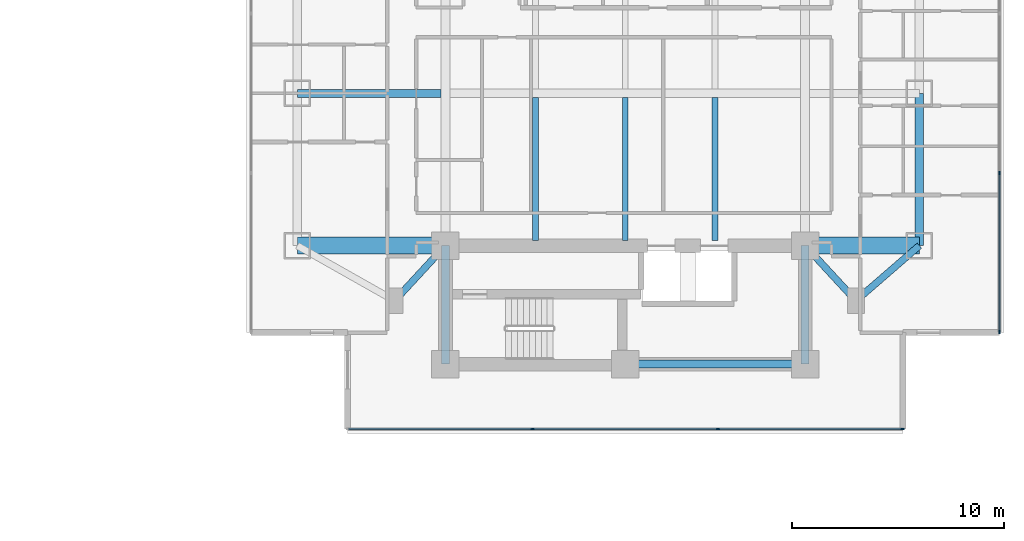
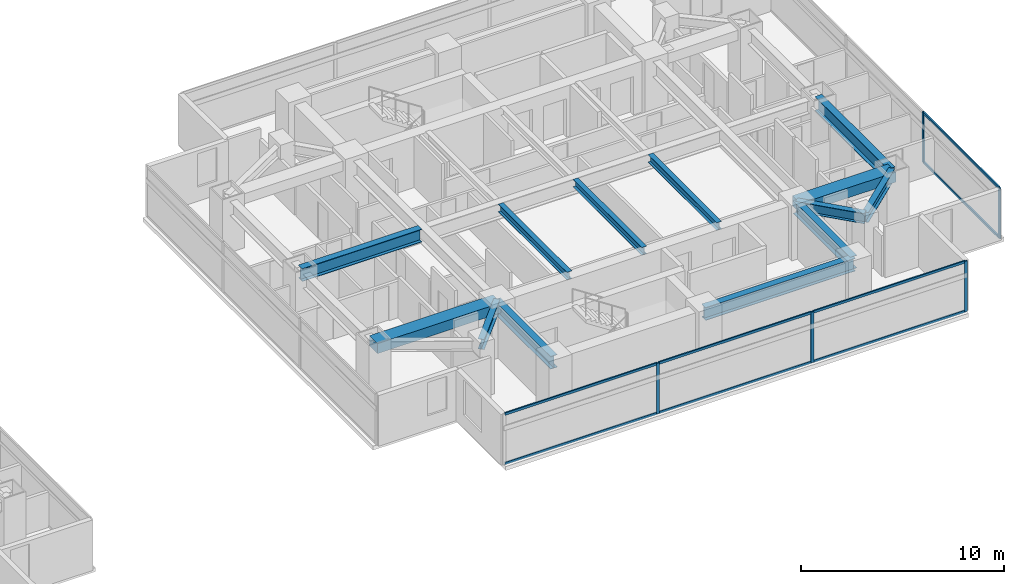
# One storey, part 9 of 27: 13 beams, 13 members, 2 elements without a shape of their own.
"""IFC4 building model written with IfcOpenShell, lengths in metres."""

import ifcopenshell
import ifcopenshell.guid

model = None  # the IFC model being written
_history = None  # IfcOwnerHistory: only IFC2X3 demands one
_inside = {}  # id of a spatial element -> (the spatial element, [elements in it])
_under = {}  # id of a project, library or spatial element -> (it, [spatial elements below it])
_declared = {}  # id of a project -> (the project, [libraries it declares])
_typed = {}  # id of a type object -> (the type object, [elements of that type])
_made_of = {}  # id of a material, layer set ... -> (it, [elements and type objects made of it])


def new_model(schema):
    """Start an empty IFC model of exactly this schema.

    Asked for "IFC4X3", IfcOpenShell would pick the latest addendum, in which some entities
    have other attributes; the version numbers below select the first issue.
    IFC2X3 requires an IfcOwnerHistory on every rooted entity: one is made here for all.
    """
    global model, _history
    if schema == "IFC4X3":
        model = ifcopenshell.file(schema_version=(4, 3, 0, 0))
    else:
        model = ifcopenshell.file(schema=schema)
    _inside.clear()
    _under.clear()
    _declared.clear()
    _typed.clear()
    _made_of.clear()
    _history = None
    if model.schema == "IFC2X3":
        org = make("IfcOrganization", Name="unknown")
        user = make(
            "IfcPersonAndOrganization",
            ThePerson=make("IfcPerson", FamilyName="unknown"),
            TheOrganization=org,
        )
        app = make(
            "IfcApplication",
            ApplicationDeveloper=org,
            Version="unknown",
            ApplicationFullName="unknown",
            ApplicationIdentifier="unknown",
        )
        _history = make(
            "IfcOwnerHistory",
            OwningUser=user,
            OwningApplication=app,
            ChangeAction="ADDED",
            CreationDate=0,
        )
    return model


def make(cls, **values):
    """One entity of the class cls with the attributes given. An attribute that is None is left unset."""
    return model.create_entity(
        cls, **{name: value for name, value in values.items() if value is not None}
    )


def rooted(cls, **values):
    """An entity with a GlobalId (a new one), such as an element, a storey or a relation."""
    return make(cls, GlobalId=ifcopenshell.guid.new(), OwnerHistory=_history, **values)


def si_unit(unit_type, name, prefix=None):
    """IfcSIUnit, for example si_unit("LENGTHUNIT", "METRE", prefix="MILLI")."""
    return make("IfcSIUnit", UnitType=unit_type, Prefix=prefix, Name=name)


def assignment(units):
    """IfcUnitAssignment: the units of a project."""
    return None if units is None else make("IfcUnitAssignment", Units=units)


def point(xyz):
    """IfcCartesianPoint."""
    return None if xyz is None else make("IfcCartesianPoint", Coordinates=xyz)


def direction(xyz):
    """IfcDirection."""
    return None if xyz is None else make("IfcDirection", DirectionRatios=xyz)


def frame(location, z_axis=None, x_axis=None):
    """IfcAxis2Placement3D, a coordinate frame: its origin and axes. An axis left out is left unset."""
    return make(
        "IfcAxis2Placement3D",
        Location=point(location),
        Axis=direction(z_axis),
        RefDirection=direction(x_axis),
    )


def frame_2d(location, x_axis=None):
    """IfcAxis2Placement2D, a coordinate frame in the plane: its origin and x axis."""
    return make(
        "IfcAxis2Placement2D", Location=point(location), RefDirection=direction(x_axis)
    )


def origin():
    """The frame at (0, 0, 0) with its axes left unset."""
    return frame((0.0, 0.0, 0.0))


def origin_2d():
    """The frame at (0, 0) in the plane with its x axis left unset."""
    return frame_2d((0.0, 0.0))


def place(relative_to, where):
    """IfcLocalPlacement: puts the frame where relative to a parent placement (None: the world)."""
    return make(
        "IfcLocalPlacement", PlacementRelTo=relative_to, RelativePlacement=where
    )


def context(
    kind, dimensions, precision=None, world=None, true_north=None, identifier=None
):
    """IfcGeometricRepresentationContext, for example the 3D "Model" context."""
    return make(
        "IfcGeometricRepresentationContext",
        ContextIdentifier=identifier,
        ContextType=kind,
        CoordinateSpaceDimension=dimensions,
        Precision=precision,
        WorldCoordinateSystem=world,
        TrueNorth=true_north,
    )


def subcontext(parent, identifier, kind, view, scale=None):
    """IfcGeometricRepresentationSubContext, for example "Body" below "Model"."""
    return make(
        "IfcGeometricRepresentationSubContext",
        ContextIdentifier=identifier,
        ContextType=kind,
        ParentContext=parent,
        TargetScale=scale,
        TargetView=view,
    )


def project(units=None, contexts=None):
    """IfcProject with its units and contexts."""
    return rooted(
        "IfcProject",
        Name="project",
        RepresentationContexts=contexts,
        UnitsInContext=assignment(units),
    )


def spatial(cls, under=None, at=None, **own):
    """A site, building, storey or space (cls), placed at a placement, below another one or the project."""
    s = rooted(cls, ObjectPlacement=at, **own)
    if under is not None:
        _under.setdefault(under.id(), (under, []))[1].append(s)
    return s


def profile(cls, at=None, kind="AREA", **sizes):
    """A parametric profile (cls). Its sizes go by their IFC names, for example OverallWidth=200.0."""
    return make(cls, ProfileType=kind, Position=at, **sizes)


def rectangle(**sizes):
    """IfcRectangleProfileDef."""
    return profile("IfcRectangleProfileDef", **sizes)


def i_section(**sizes):
    """IfcIShapeProfileDef."""
    return profile("IfcIShapeProfileDef", **sizes)


def extrude(swept, where, along, depth):
    """IfcExtrudedAreaSolid: the profile swept, set in the frame where, extruded along a direction by depth."""
    return make(
        "IfcExtrudedAreaSolid",
        SweptArea=swept,
        Position=where,
        ExtrudedDirection=direction(along),
        Depth=depth,
    )


def shape(context_of_items, identifier, shape_type, items):
    """IfcShapeRepresentation: the items that make up one representation, for example the "Body"."""
    return make(
        "IfcShapeRepresentation",
        ContextOfItems=context_of_items,
        RepresentationIdentifier=identifier,
        RepresentationType=shape_type,
        Items=items,
    )


def material(Name=None, Category=None):
    """IfcMaterial."""
    return make("IfcMaterial", Name=Name, Category=Category)


def material_profile(
    of_material, cross_section, Name=None, Category=None, Priority=None
):
    """IfcMaterialProfile: a cross section and its material."""
    return make(
        "IfcMaterialProfile",
        Name=Name,
        Material=of_material,
        Profile=cross_section,
        Priority=Priority,
        Category=Category,
    )


def profile_set(profiles, Name=None, composite=None):
    """IfcMaterialProfileSet."""
    return make(
        "IfcMaterialProfileSet",
        Name=Name,
        MaterialProfiles=profiles,
        CompositeProfile=composite,
    )


def made_of(thing, what):
    """Note that an element or type object is made of a material, layer set ...; save() writes the relation."""
    if what is not None:
        _made_of.setdefault(what.id(), (what, []))[1].append(thing)
    return thing


def type_object(cls, material=None, **own):
    """A type object (cls), such as IfcWallType, which elements share."""
    return made_of(rooted(cls, **own), material)


def element(
    cls,
    number,
    at=None,
    inside=None,
    cuts=None,
    type_object=None,
    material=None,
    context=None,
    identifier="Body",
    shape_type=None,
    held_by="IfcProductDefinitionShape",
    body=None,
    shapes=None,
    **own,
):
    """One element of the class cls, such as IfcWall. Its Tag is "e" and its number.

    at: its placement. inside: the storey or other place that contains it. cuts: it is an
    opening in that element (IfcRelVoidsElement). A single representation is given by context,
    identifier, shape_type and body (its items); several are given by shapes. held_by: the class
    of the entity that holds the representations. save() writes the other relations.
    """
    e = rooted(cls, Tag="e%d" % number, ObjectPlacement=at, **own)
    if body is not None:
        shapes = [shape(context, identifier, shape_type, body)]
    if shapes is not None:
        e.Representation = make(held_by, Representations=shapes)
    if inside is not None:
        _inside.setdefault(inside.id(), (inside, []))[1].append(e)
    if cuts is not None:
        rooted(
            "IfcRelVoidsElement", RelatingBuildingElement=cuts, RelatedOpeningElement=e
        )
    if type_object is not None:
        _typed.setdefault(type_object.id(), (type_object, []))[1].append(e)
    return made_of(e, material)


def aggregate(whole, parts):
    """IfcRelAggregates: a whole, such as a stair, and the parts it consists of."""
    return rooted("IfcRelAggregates", RelatingObject=whole, RelatedObjects=parts)


def save(model, path):
    """Write the relations noted so far, then the file.

    IfcRelAggregates (storeys below a building ...), IfcRelContainedInSpatialStructure (elements
    in a storey), IfcRelDefinesByType, IfcRelAssociatesMaterial and IfcRelDeclares: one each for
    every whole, place, type object, material and project.
    """
    for whole, parts in _under.values():
        aggregate(whole, parts)
    for where, things in _inside.values():
        rooted(
            "IfcRelContainedInSpatialStructure",
            RelatedElements=things,
            RelatingStructure=where,
        )
    for kind, things in _typed.values():
        rooted("IfcRelDefinesByType", RelatedObjects=things, RelatingType=kind)
    for what, things in _made_of.values():
        rooted("IfcRelAssociatesMaterial", RelatedObjects=things, RelatingMaterial=what)
    for by, libraries in _declared.values():
        rooted("IfcRelDeclares", RelatingContext=by, RelatedDefinitions=libraries)
    model.write(path)


model = new_model("IFC4")

# Units and contexts
model_context = context("Model", 3, precision=1e-05, world=origin(), true_north=direction((0.0, 1.0)))
body_context = subcontext(model_context, "Body", "Model", "MODEL_VIEW")
ifc_project = project(units=[si_unit("LENGTHUNIT", "METRE"), si_unit("AREAUNIT", "SQUARE_METRE"), si_unit("VOLUMEUNIT", "CUBIC_METRE"), si_unit("PLANEANGLEUNIT", "RADIAN"), si_unit("MASSUNIT", "GRAM", prefix="KILO")], contexts=[model_context])

# Site, building, storey
site_placement = place(None, origin())
site = spatial("IfcSite", under=ifc_project, at=site_placement, CompositionType="ELEMENT")
building_placement = place(site_placement, origin())
building = spatial("IfcBuilding", under=site, at=building_placement, Name="Mirazonda Arch Towers", CompositionType="ELEMENT")
storey_placement = place(building_placement, frame((0.0, 0.0, 55.39990234375)))
storey = spatial("IfcBuildingStorey", under=building, at=storey_placement, Name="L15", CompositionType="ELEMENT", Elevation=55.39990234375)

# Beams
ifc_material_1 = material(Name="Steel ASTM A992 Grade 50", Category="steel")
ifc_material_profile_1 = material_profile(ifc_material_1, i_section(OverallWidth=0.39990234375, OverallDepth=0.85595703125, WebThickness=0.018310546875, FlangeThickness=0.029296875, at=origin_2d()), Name="W33X201")
ifc_profile_set_1 = profile_set([ifc_material_profile_1], Name="Steel ASTM A992 Grade 50")
beam_type_1 = type_object("IfcBeamType", Name="BM-EXT-W33X201", PredefinedType="USERDEFINED", material=ifc_profile_set_1)
beam_1_placement = place(storey_placement, frame((90.39990234375, 20.800048828125, 2.632080078125), z_axis=(0.0, 1.0, 0.0), x_axis=(-1.0, 0.0, 0.0)))
element("IfcBeam", 1, at=beam_1_placement, inside=storey, type_object=beam_type_1, Name="L15 Floor Beam BM-T2-L15-NS-E-20", ObjectType="GIRDER", PredefinedType="USERDEFINED", context=body_context, shape_type="SweptSolid", body=[
    extrude(i_section(OverallWidth=0.39990234375, OverallDepth=0.85595703125, WebThickness=0.018310546875, FlangeThickness=0.029296875, at=origin_2d()), origin(), (0.0, 0.0, 1.0), 7.199951171875),
])
ifc_material_profile_2 = material_profile(ifc_material_1, i_section(OverallWidth=0.280029296875, OverallDepth=0.462890625, WebThickness=0.0107421875, FlangeThickness=0.017333984375, at=origin_2d()), Name="W18X76")
ifc_profile_set_2 = profile_set([ifc_material_profile_2], Name="Steel ASTM A992 Grade 50")
beam_type_2 = type_object("IfcBeamType", Name="BM-INT-W18X76", PredefinedType="JOIST", material=ifc_profile_set_2)
for number, where, z_axis, x_axis, name in (
    (2, (72.25, 21.0400390625, 2.82861328125), (0.0, 1.0, 0.0), (-1.0, 0.0, 0.0), "L15 Floor Beam BM-T2-L15-J-722-20"),
    (3, (76.5, 21.0400390625, 2.82861328125), (0.0, 1.0, 0.0), (-1.0, 0.0, 0.0), "L15 Floor Beam BM-T2-L15-J-765-20"),
    (4, (80.75, 21.0400390625, 2.82861328125), (0.0, 1.0, 0.0), (-1.0, 0.0, 0.0), "L15 Floor Beam BM-T2-L15-J-807-20"),
):
    element("IfcBeam", number, at=place(storey_placement, frame(where, z_axis=z_axis, x_axis=x_axis)), inside=storey, type_object=beam_type_2, Name=name, PredefinedType="JOIST", context=body_context, shape_type="SweptSolid", body=[
        extrude(i_section(OverallWidth=0.280029296875, OverallDepth=0.462890625, WebThickness=0.0107421875, FlangeThickness=0.017333984375, at=origin_2d()), origin(), (0.0, 0.0, 1.0), 6.7548828125),
    ])
ifc_material_profile_3 = material_profile(ifc_material_1, i_section(OverallWidth=0.324951171875, OverallDepth=0.615966796875, WebThickness=0.013916015625, FlangeThickness=0.021484375, at=origin_2d()), Name="W24X117")
ifc_profile_set_3 = profile_set([ifc_material_profile_3], Name="Steel ASTM A992 Grade 50")
beam_type_3 = type_object("IfcBeamType", Name="BM-INT-W24X117", PredefinedType="BEAM", material=ifc_profile_set_3)
for number, where, z_axis, x_axis, name in (
    (5, (65.60009765625, 18.199951171875, 2.752197265625), (0.678251444854, 0.734829897019, 0.0), (-0.734829897019, 0.678251444854, 0.0), "L15 Floor Beam BM-T2-L15-PL-SW1"),
    (6, (87.39990234375, 18.199951171875, 2.752197265625), (-0.678251444854, 0.734829897019, 0.0), (-0.734829897019, -0.678251444854, 0.0), "L15 Floor Beam BM-T2-L15-PL-SE1"),
):
    element("IfcBeam", number, at=place(storey_placement, frame(where, z_axis=z_axis, x_axis=x_axis)), inside=storey, type_object=beam_type_3, Name=name, PredefinedType="BEAM", context=body_context, shape_type="SweptSolid", body=[
        extrude(i_section(OverallWidth=0.324951171875, OverallDepth=0.615966796875, WebThickness=0.013916015625, FlangeThickness=0.021484375, at=origin_2d()), origin(), (0.0, 0.0, 1.0), 3.538330078125),
    ])
beam_2_placement = place(storey_placement, frame((87.39990234375, 18.199951171875, 2.752197265625), z_axis=(0.755676908098, 0.654944585876, 0.0), x_axis=(-0.654944585876, 0.755676908098, 0.0)))
element("IfcBeam", 7, at=beam_2_placement, inside=storey, type_object=beam_type_3, Name="L15 Floor Beam BM-T2-L15-PL-SE2", PredefinedType="BEAM", context=body_context, shape_type="SweptSolid", body=[
    extrude(i_section(OverallWidth=0.324951171875, OverallDepth=0.615966796875, WebThickness=0.013916015625, FlangeThickness=0.021484375, at=origin_2d()), origin(), (0.0, 0.0, 1.0), 3.969970703125),
])
ifc_material_profile_4 = material_profile(ifc_material_1, i_section(OverallWidth=0.381103515625, OverallDepth=0.77294921875, WebThickness=0.0166015625, FlangeThickness=0.027099609375, at=origin_2d()), Name="W30X173")
ifc_profile_set_4 = profile_set([ifc_material_profile_4], Name="Steel ASTM A992 Grade 50")
beam_type_4 = type_object("IfcBeamType", Name="BM-INT-W30X173", PredefinedType="USERDEFINED", material=ifc_profile_set_4)
beam_3_placement = place(storey_placement, frame((76.5, 15.199951171875, 2.673583984375), z_axis=(1.0, 0.0, 0.0), x_axis=(0.0, 1.0, 0.0)))
element("IfcBeam", 8, at=beam_3_placement, inside=storey, type_object=beam_type_4, Name="L15 Floor Beam BM-T2-L15-CS2", ObjectType="GIRDER", PredefinedType="USERDEFINED", context=body_context, shape_type="SweptSolid", body=[
    extrude(i_section(OverallWidth=0.381103515625, OverallDepth=0.77294921875, WebThickness=0.0166015625, FlangeThickness=0.027099609375, at=origin_2d()), origin(), (0.0, 0.0, 1.0), 8.5),
])
for number, where, z_axis, x_axis, name in (
    (9, (68.0, 15.199951171875, 2.673583984375), (0.0, 1.0, 0.0), (-1.0, 0.0, 0.0), "L15 Floor Beam BM-T2-L15-CSW"),
    (10, (85.0, 15.199951171875, 2.673583984375), (0.0, 1.0, 0.0), (-1.0, 0.0, 0.0), "L15 Floor Beam BM-T2-L15-CSE"),
):
    element("IfcBeam", number, at=place(storey_placement, frame(where, z_axis=z_axis, x_axis=x_axis)), inside=storey, type_object=beam_type_4, Name=name, ObjectType="GIRDER", PredefinedType="USERDEFINED", context=body_context, shape_type="SweptSolid", body=[
        extrude(i_section(OverallWidth=0.381103515625, OverallDepth=0.77294921875, WebThickness=0.0166015625, FlangeThickness=0.027099609375, at=origin_2d()), origin(), (0.0, 0.0, 1.0), 5.60009765625),
    ])
beam_4_placement = place(storey_placement, frame((61.0, 28.0, 2.673583984375), z_axis=(1.0, 0.0, 0.0), x_axis=(0.0, 1.0, 0.0)))
element("IfcBeam", 11, at=beam_4_placement, inside=storey, type_object=beam_type_4, Name="L15 Floor Beam BM-T2-L15-GW2", ObjectType="GIRDER", PredefinedType="USERDEFINED", context=body_context, shape_type="SweptSolid", body=[
    extrude(i_section(OverallWidth=0.381103515625, OverallDepth=0.77294921875, WebThickness=0.0166015625, FlangeThickness=0.027099609375, at=origin_2d()), origin(), (0.0, 0.0, 1.0), 6.791015625),
])
ifc_material_2 = material(Name="Concrete C60/75", Category="concrete")
ifc_material_profile_5 = material_profile(ifc_material_2, rectangle(XDim=0.800048828125, YDim=0.60009765625, at=origin_2d()), Name="RCCB800x600")
ifc_profile_set_5 = profile_set([ifc_material_profile_5], Name="Concrete C60/75")
beam_type_5 = type_object("IfcBeamType", Name="CB-INT-RCCB800x600", PredefinedType="SPANDREL", material=ifc_profile_set_5)
beam_5_placement = place(storey_placement, frame((61.0, 20.800048828125, 2.760009765625), z_axis=(1.0, 0.0, 0.0), x_axis=(0.0, 1.0, 0.0)))
element("IfcBeam", 12, at=beam_5_placement, inside=storey, type_object=beam_type_5, Name="L15 Floor Beam CBC-T2-L15-SW", PredefinedType="SPANDREL", context=body_context, shape_type="SweptSolid", body=[
    extrude(rectangle(XDim=0.800048828125, YDim=0.60009765625, at=origin_2d()), origin(), (0.0, 0.0, 1.0), 7.0),
])
beam_6_placement = place(storey_placement, frame((85.0, 20.800048828125, 2.760009765625), z_axis=(1.0, 0.0, 0.0), x_axis=(0.0, 1.0, 0.0)))
element("IfcBeam", 13, at=beam_6_placement, inside=storey, type_object=beam_type_5, Name="L15 Floor Beam CBC-T2-L15-SE", PredefinedType="SPANDREL", context=body_context, shape_type="SweptSolid", body=[
    extrude(rectangle(XDim=0.800048828125, YDim=0.60009765625, at=origin_2d()), origin(), (0.0, 0.0, 1.0), 5.39990234375),
])

# Curtain wall, members
ifc_material_3 = material(Name="Anodised Aluminium and Low-E Glass", Category="aluminium")
curtain_wall_type = type_object("IfcCurtainWallType", Name="CW-HTL-UNIT", PredefinedType="NOTDEFINED", material=ifc_material_3)
curtain_wall_1_placement = place(storey_placement, origin())
curtain_wall_1 = element("IfcCurtainWall", 14, at=curtain_wall_1_placement, inside=storey, type_object=curtain_wall_type, Name="L15 T2 S Facade CW-L15-T2-S", PredefinedType="NOTDEFINED")
ifc_material_4 = material(Name="Anodised Aluminium Alloy", Category="aluminium")
ifc_material_profile_6 = material_profile(ifc_material_4, rectangle(XDim=0.074951171875, YDim=0.1650390625, at=origin_2d()), Name="ALU-MULL-75x165")
ifc_profile_set_6 = profile_set([ifc_material_profile_6], Name="Anodised Aluminium Alloy")
member_type_1 = type_object("IfcMemberType", Name="MULL-CW-HTL-UNIT", PredefinedType="MULLION", material=ifc_profile_set_6)
member_1_placement = place(storey_placement, frame((89.594482421875, 12.140625, 0.0), z_axis=(0.0, 0.0, 1.0), x_axis=(0.0, -1.0, 0.0)))
member_1 = element("IfcMember", 15, at=member_1_placement, type_object=member_type_1, Name="CW-112 mullion 1", PredefinedType="MULLION", context=body_context, shape_type="SweptSolid", body=[
    extrude(rectangle(XDim=0.074951171875, YDim=0.1650390625, at=origin_2d()), origin(), (0.0, 0.0, 1.0), 3.0400390625),
])
member_2_placement = place(storey_placement, frame((80.87744140625, 12.140625, 0.0), z_axis=(0.0, 0.0, 1.0), x_axis=(0.0, -1.0, 0.0)))
member_2 = element("IfcMember", 16, at=member_2_placement, type_object=member_type_1, Name="CW-112 mullion 2", PredefinedType="MULLION", context=body_context, shape_type="SweptSolid", body=[
    extrude(rectangle(XDim=0.074951171875, YDim=0.1650390625, at=origin_2d()), origin(), (0.0, 0.0, 1.0), 3.0400390625),
])
member_3_placement = place(storey_placement, frame((72.12255859375, 12.140625, 0.0), z_axis=(0.0, 0.0, 1.0), x_axis=(0.0, -1.0, 0.0)))
member_3 = element("IfcMember", 17, at=member_3_placement, type_object=member_type_1, Name="CW-112 mullion 3", PredefinedType="MULLION", context=body_context, shape_type="SweptSolid", body=[
    extrude(rectangle(XDim=0.074951171875, YDim=0.1650390625, at=origin_2d()), origin(), (0.0, 0.0, 1.0), 3.0400390625),
])

curtain_wall_2_placement = place(storey_placement, origin())
curtain_wall_2 = element("IfcCurtainWall", 18, at=curtain_wall_2_placement, inside=storey, type_object=curtain_wall_type, Name="L15 T2 E Facade CW-L15-T2-E", PredefinedType="NOTDEFINED")
member_4_placement = place(storey_placement, frame((94.177978515625, 16.72412109375, 0.0), z_axis=(0.0, 0.0, 1.0), x_axis=(-1.0, 0.0, 0.0)))
member_4 = element("IfcMember", 19, at=member_4_placement, type_object=member_type_1, Name="CW-112 mullion 1", PredefinedType="MULLION", context=body_context, shape_type="SweptSolid", body=[
    extrude(rectangle(XDim=0.074951171875, YDim=0.1650390625, at=origin_2d()), origin(), (0.0, 0.0, 1.0), 3.0400390625),
])
member_5_placement = place(storey_placement, frame((94.177978515625, 24.22900390625, 0.0), z_axis=(0.0, 0.0, 1.0), x_axis=(-1.0, 0.0, 0.0)))
member_5 = element("IfcMember", 20, at=member_5_placement, type_object=member_type_1, Name="CW-112 mullion 2", PredefinedType="MULLION", context=body_context, shape_type="SweptSolid", body=[
    extrude(rectangle(XDim=0.074951171875, YDim=0.1650390625, at=origin_2d()), origin(), (0.0, 0.0, 1.0), 3.0400390625),
])

# Member
ifc_material_profile_7 = material_profile(ifc_material_4, rectangle(XDim=0.074951171875, YDim=0.14501953125, at=origin_2d()), Name="ALU-TRAN-75x145")
ifc_profile_set_7 = profile_set([ifc_material_profile_7], Name="Anodised Aluminium Alloy")
member_type_2 = type_object("IfcMemberType", Name="TRAN-CW-HTL-UNIT", PredefinedType="USERDEFINED", material=ifc_profile_set_7)
member_6_placement = place(storey_placement, frame((89.556884765625, 12.140625, 0.03759765625), z_axis=(-1.0, 0.0, 0.0), x_axis=(0.0, -1.0, 0.0)))
member_6 = element("IfcMember", 21, at=member_6_placement, type_object=member_type_2, Name="CW-112 transom 1.1", ObjectType="TRANSOM", PredefinedType="USERDEFINED", context=body_context, shape_type="SweptSolid", body=[
    extrude(rectangle(XDim=0.074951171875, YDim=0.14501953125, at=origin_2d()), origin(), (0.0, 0.0, 1.0), 8.64208984375),
])

member_7_placement = place(storey_placement, frame((89.556884765625, 12.140625, 3.002685546875), z_axis=(-1.0, 0.0, 0.0), x_axis=(0.0, -1.0, 0.0)))
member_7 = element("IfcMember", 22, at=member_7_placement, type_object=member_type_2, Name="CW-112 transom 1.2", ObjectType="TRANSOM", PredefinedType="USERDEFINED", context=body_context, shape_type="SweptSolid", body=[
    extrude(rectangle(XDim=0.074951171875, YDim=0.14501953125, at=origin_2d()), origin(), (0.0, 0.0, 1.0), 8.64208984375),
])

member_8_placement = place(storey_placement, frame((80.83984375, 12.140625, 0.03759765625), z_axis=(-1.0, 0.0, 0.0), x_axis=(0.0, -1.0, 0.0)))
member_8 = element("IfcMember", 23, at=member_8_placement, type_object=member_type_2, Name="CW-112 transom 2.1", ObjectType="TRANSOM", PredefinedType="USERDEFINED", context=body_context, shape_type="SweptSolid", body=[
    extrude(rectangle(XDim=0.074951171875, YDim=0.14501953125, at=origin_2d()), origin(), (0.0, 0.0, 1.0), 8.6796875),
])

member_9_placement = place(storey_placement, frame((80.83984375, 12.140625, 3.002685546875), z_axis=(-1.0, 0.0, 0.0), x_axis=(0.0, -1.0, 0.0)))
member_9 = element("IfcMember", 24, at=member_9_placement, type_object=member_type_2, Name="CW-112 transom 2.2", ObjectType="TRANSOM", PredefinedType="USERDEFINED", context=body_context, shape_type="SweptSolid", body=[
    extrude(rectangle(XDim=0.074951171875, YDim=0.14501953125, at=origin_2d()), origin(), (0.0, 0.0, 1.0), 8.6796875),
])

member_10_placement = place(storey_placement, frame((72.085205078125, 12.140625, 0.03759765625), z_axis=(-1.0, 0.0, 0.0), x_axis=(0.0, -1.0, 0.0)))
member_10 = element("IfcMember", 25, at=member_10_placement, type_object=member_type_2, Name="CW-112 transom 3.1", ObjectType="TRANSOM", PredefinedType="USERDEFINED", context=body_context, shape_type="SweptSolid", body=[
    extrude(rectangle(XDim=0.074951171875, YDim=0.14501953125, at=origin_2d()), origin(), (0.0, 0.0, 1.0), 8.64208984375),
])

member_11_placement = place(storey_placement, frame((72.085205078125, 12.140625, 3.002685546875), z_axis=(-1.0, 0.0, 0.0), x_axis=(0.0, -1.0, 0.0)))
member_11 = element("IfcMember", 26, at=member_11_placement, type_object=member_type_2, Name="CW-112 transom 3.2", ObjectType="TRANSOM", PredefinedType="USERDEFINED", context=body_context, shape_type="SweptSolid", body=[
    extrude(rectangle(XDim=0.074951171875, YDim=0.14501953125, at=origin_2d()), origin(), (0.0, 0.0, 1.0), 8.64208984375),
])

aggregate(curtain_wall_1, [member_1, member_2, member_3, member_6, member_7, member_8, member_9, member_10, member_11])

member_12_placement = place(storey_placement, frame((94.177978515625, 16.76171875, 0.03759765625), z_axis=(0.0, 1.0, 0.0), x_axis=(-1.0, 0.0, 0.0)))
member_12 = element("IfcMember", 27, at=member_12_placement, type_object=member_type_2, Name="CW-112 transom 1.1", ObjectType="TRANSOM", PredefinedType="USERDEFINED", context=body_context, shape_type="SweptSolid", body=[
    extrude(rectangle(XDim=0.074951171875, YDim=0.14501953125, at=origin_2d()), origin(), (0.0, 0.0, 1.0), 7.4296875),
])

member_13_placement = place(storey_placement, frame((94.177978515625, 16.76171875, 3.002685546875), z_axis=(0.0, 1.0, 0.0), x_axis=(-1.0, 0.0, 0.0)))
member_13 = element("IfcMember", 28, at=member_13_placement, type_object=member_type_2, Name="CW-112 transom 1.2", ObjectType="TRANSOM", PredefinedType="USERDEFINED", context=body_context, shape_type="SweptSolid", body=[
    extrude(rectangle(XDim=0.074951171875, YDim=0.14501953125, at=origin_2d()), origin(), (0.0, 0.0, 1.0), 7.4296875),
])

aggregate(curtain_wall_2, [member_4, member_5, member_12, member_13])

save(model, "model.ifc")
